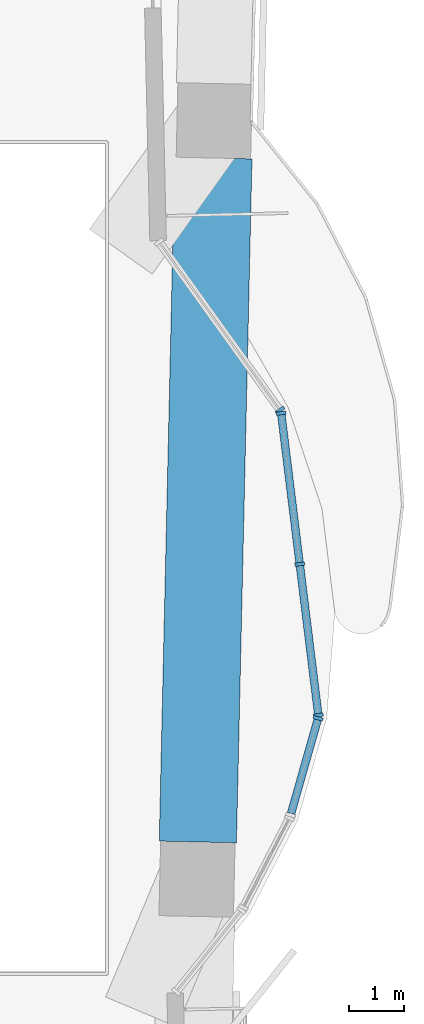
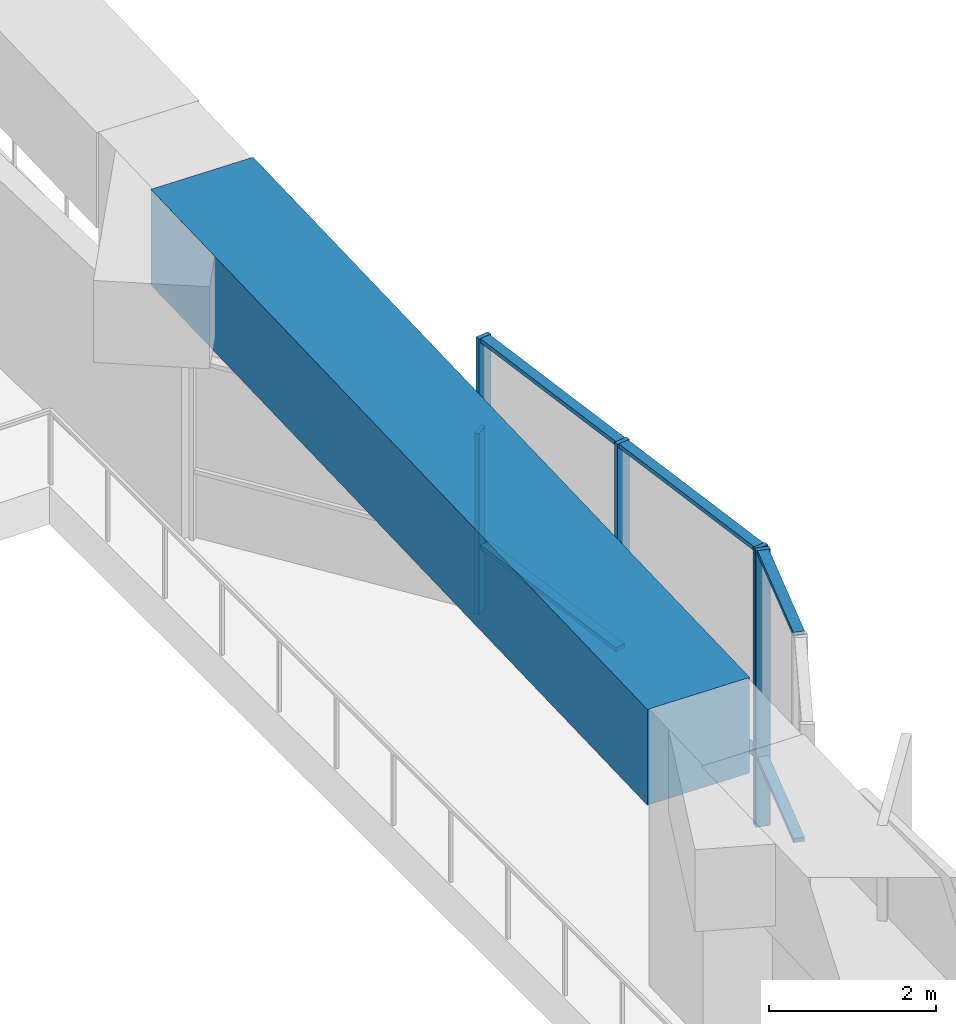
# One storey, part 4 of 21: 11 members, 1 beam, 3 elements without a shape of their own.
"""IFC4 building model written with IfcOpenShell, lengths in metres."""

from ifc_helpers import new_model, si_unit, direction, frame, origin, origin_2d, place, context, subcontext, project, spatial, rectangle, extrude, material, material_profile, profile_set, type_object, element, aggregate, save


model = new_model("IFC4")

# Units and contexts
model_context = context("Model", 3, precision=1e-05, world=origin(), true_north=direction((0.0, 1.0)))
body_context = subcontext(model_context, "Body", "Model", "MODEL_VIEW")
ifc_project = project(units=[si_unit("LENGTHUNIT", "METRE"), si_unit("AREAUNIT", "SQUARE_METRE"), si_unit("VOLUMEUNIT", "CUBIC_METRE"), si_unit("PLANEANGLEUNIT", "RADIAN"), si_unit("MASSUNIT", "GRAM", prefix="KILO")], contexts=[model_context])

# Site, building, storey
site_placement = place(None, origin())
site = spatial("IfcSite", under=ifc_project, at=site_placement, CompositionType="ELEMENT")
building_placement = place(site_placement, origin())
building = spatial("IfcBuilding", under=site, at=building_placement, Name="Mangrove Gate Tower", CompositionType="ELEMENT")
storey_placement = place(building_placement, frame((0.0, 0.0, 125.5)))
storey = spatial("IfcBuildingStorey", under=building, at=storey_placement, Name="L31", CompositionType="ELEMENT", Elevation=125.5)

# Curtain wall, member
ifc_material_1 = material(Name="Aluminium and glass curtain wall", Category="aluminium")
curtain_wall_type = type_object("IfcCurtainWallType", Name="Sky-lounge glazing wall", PredefinedType="NOTDEFINED", material=ifc_material_1)
curtain_wall_1_placement = place(storey_placement, origin())
curtain_wall_1 = element("IfcCurtainWall", 1, at=curtain_wall_1_placement, inside=storey, type_object=curtain_wall_type, Name="Sky-lounge glazing E1f3", PredefinedType="NOTDEFINED")
ifc_material_2 = material(Name="Aluminium alloy 6063-T6", Category="aluminium")
ifc_material_profile_1 = material_profile(ifc_material_2, rectangle(XDim=0.06005859375, YDim=0.179931640625, at=origin_2d()))
ifc_profile_set_1 = profile_set([ifc_material_profile_1], Name="Aluminium alloy 6063-T6")
member_type_1 = type_object("IfcMemberType", Name="Sky-lounge glazing mullion 60x180", PredefinedType="MULLION", material=ifc_profile_set_1)
member_1_placement = place(storey_placement, frame((26.860595703125, -2.90673828125, 0.0), z_axis=(0.0, 0.0, 1.0), x_axis=(0.273161206695, 0.961968271388, 0.0)))
member_1 = element("IfcMember", 2, at=member_1_placement, type_object=member_type_1, Name="CWK mullion 2", PredefinedType="MULLION", context=body_context, shape_type="SweptSolid", body=[
    extrude(rectangle(XDim=0.06005859375, YDim=0.179931640625, at=origin_2d()), origin(), (0.0, 0.0, 1.0), 4.050048828125),
])

# Curtain wall, members
curtain_wall_2_placement = place(storey_placement, origin())
curtain_wall_2 = element("IfcCurtainWall", 3, at=curtain_wall_2_placement, inside=storey, type_object=curtain_wall_type, Name="Sky-lounge glazing E1f4", PredefinedType="NOTDEFINED")
member_2_placement = place(storey_placement, frame((26.865234375, -2.84814453125, 0.0), z_axis=(0.0, 0.0, 1.0), x_axis=(-0.122172285885, 0.992508908051, 0.0)))
member_2 = element("IfcMember", 4, at=member_2_placement, type_object=member_type_1, Name="CWK mullion 1", PredefinedType="MULLION", context=body_context, shape_type="SweptSolid", body=[
    extrude(rectangle(XDim=0.06005859375, YDim=0.179931640625, at=origin_2d()), origin(), (0.0, 0.0, 1.0), 4.050048828125),
])
member_3_placement = place(storey_placement, frame((26.5283203125, -0.112060546875, 0.0), z_axis=(0.0, 0.0, 1.0), x_axis=(-0.122172285885, 0.992508908051, 0.0)))
member_3 = element("IfcMember", 5, at=member_3_placement, type_object=member_type_1, Name="CWK mullion 2", PredefinedType="MULLION", context=body_context, shape_type="SweptSolid", body=[
    extrude(rectangle(XDim=0.06005859375, YDim=0.179931640625, at=origin_2d()), origin(), (0.0, 0.0, 1.0), 4.050048828125),
])
member_4_placement = place(storey_placement, frame((26.191650390625, 2.6240234375, 0.0), z_axis=(0.0, 0.0, 1.0), x_axis=(-0.122172285885, 0.992508908051, 0.0)))
member_4 = element("IfcMember", 6, at=member_4_placement, type_object=member_type_1, Name="CWK mullion 3", PredefinedType="MULLION", context=body_context, shape_type="SweptSolid", body=[
    extrude(rectangle(XDim=0.06005859375, YDim=0.179931640625, at=origin_2d()), origin(), (0.0, 0.0, 1.0), 4.050048828125),
])

# Curtain wall, member
curtain_wall_3_placement = place(storey_placement, origin())
curtain_wall_3 = element("IfcCurtainWall", 7, at=curtain_wall_3_placement, inside=storey, type_object=curtain_wall_type, Name="Sky-lounge glazing E1f5", PredefinedType="NOTDEFINED")
member_5_placement = place(storey_placement, frame((26.17041015625, 2.67822265625, 0.0), z_axis=(0.0, 0.0, 1.0), x_axis=(-0.583670260949, 0.811990779802, 0.0)))
member_5 = element("IfcMember", 8, at=member_5_placement, type_object=member_type_1, Name="CWK mullion 1", PredefinedType="MULLION", context=body_context, shape_type="SweptSolid", body=[
    extrude(rectangle(XDim=0.06005859375, YDim=0.179931640625, at=origin_2d()), origin(), (0.0, 0.0, 1.0), 2.64990234375),
])
aggregate(curtain_wall_3, [member_5])

# Member
ifc_material_3 = material(Name="Aluminium alloy 6063-T6", Category="aluminium")
ifc_material_profile_2 = material_profile(ifc_material_3, rectangle(XDim=0.06005859375, YDim=0.139892578125, at=origin_2d()))
ifc_profile_set_2 = profile_set([ifc_material_profile_2], Name="Aluminium alloy 6063-T6")
member_type_2 = type_object("IfcMemberType", Name="Sky-lounge glazing transom 60x140", PredefinedType="USERDEFINED", material=ifc_profile_set_2)
member_6_placement = place(storey_placement, frame((26.370849609375, -4.631103515625, 1.0), z_axis=(0.273275633786, 0.961935771234, 0.0), x_axis=(0.0, 0.0, 1.0)))
member_6 = element("IfcMember", 9, at=member_6_placement, type_object=member_type_2, Name="CWK transom 1.2", ObjectType="TRANSOM", PredefinedType="USERDEFINED", context=body_context, shape_type="SweptSolid", body=[
    extrude(rectangle(XDim=0.06005859375, YDim=0.139892578125, at=origin_2d()), origin(), (0.0, 0.0, 1.0), 1.7626953125),
])

member_7_placement = place(storey_placement, frame((26.370849609375, -4.631103515625, 4.02001953125), z_axis=(0.273275633786, 0.961935771234, 0.0), x_axis=(0.0, 0.0, 1.0)))
member_7 = element("IfcMember", 10, at=member_7_placement, type_object=member_type_2, Name="CWK transom 1.3", ObjectType="TRANSOM", PredefinedType="USERDEFINED", context=body_context, shape_type="SweptSolid", body=[
    extrude(rectangle(XDim=0.06005859375, YDim=0.139892578125, at=origin_2d()), origin(), (0.0, 0.0, 1.0), 1.7626953125),
])

aggregate(curtain_wall_1, [member_1, member_6, member_7])

member_8_placement = place(storey_placement, frame((26.861572265625, -2.818359375, 1.0), z_axis=(-0.122207333177, 0.992504593298, 0.0), x_axis=(0.0, 0.0, 1.0)))
member_8 = element("IfcMember", 11, at=member_8_placement, type_object=member_type_2, Name="CWK transom 1.2", ObjectType="TRANSOM", PredefinedType="USERDEFINED", context=body_context, shape_type="SweptSolid", body=[
    extrude(rectangle(XDim=0.06005859375, YDim=0.139892578125, at=origin_2d()), origin(), (0.0, 0.0, 1.0), 2.697021484375),
])

member_9_placement = place(storey_placement, frame((26.861572265625, -2.818359375, 4.02001953125), z_axis=(-0.122207333177, 0.992504593298, 0.0), x_axis=(0.0, 0.0, 1.0)))
member_9 = element("IfcMember", 12, at=member_9_placement, type_object=member_type_2, Name="CWK transom 1.3", ObjectType="TRANSOM", PredefinedType="USERDEFINED", context=body_context, shape_type="SweptSolid", body=[
    extrude(rectangle(XDim=0.06005859375, YDim=0.139892578125, at=origin_2d()), origin(), (0.0, 0.0, 1.0), 2.697021484375),
])

member_10_placement = place(storey_placement, frame((26.524658203125, -0.082275390625, 1.0), z_axis=(-0.122129132669, 0.992514219018, 0.0), x_axis=(0.0, 0.0, 1.0)))
member_10 = element("IfcMember", 13, at=member_10_placement, type_object=member_type_2, Name="CWK transom 2.2", ObjectType="TRANSOM", PredefinedType="USERDEFINED", context=body_context, shape_type="SweptSolid", body=[
    extrude(rectangle(XDim=0.06005859375, YDim=0.139892578125, at=origin_2d()), origin(), (0.0, 0.0, 1.0), 2.69677734375),
])

member_11_placement = place(storey_placement, frame((26.524658203125, -0.082275390625, 4.02001953125), z_axis=(-0.122129132669, 0.992514219018, 0.0), x_axis=(0.0, 0.0, 1.0)))
member_11 = element("IfcMember", 14, at=member_11_placement, type_object=member_type_2, Name="CWK transom 2.3", ObjectType="TRANSOM", PredefinedType="USERDEFINED", context=body_context, shape_type="SweptSolid", body=[
    extrude(rectangle(XDim=0.06005859375, YDim=0.139892578125, at=origin_2d()), origin(), (0.0, 0.0, 1.0), 2.69677734375),
])

aggregate(curtain_wall_2, [member_2, member_3, member_4, member_8, member_9, member_10, member_11])

# Beam
ifc_material_4 = material(Name="Concrete C70/85", Category="concrete")
ifc_material_profile_3 = material_profile(ifc_material_4, rectangle(XDim=1.39990234375, YDim=1.39990234375, at=origin_2d()))
ifc_profile_set_3 = profile_set([ifc_material_profile_3], Name="Concrete C70/85")
beam_type = type_object("IfcBeamType", Name="Transfer girder RC 1400x1400 C70/85", PredefinedType="BEAM", material=ifc_profile_set_3)
beam_placement = place(storey_placement, frame((24.681396484375, -5.14794921875, 3.35009765625), z_axis=(0.022699938925, 0.999742323188, 0.0), x_axis=(-0.999742323188, 0.022699938925, 0.0)))
element("IfcBeam", 15, at=beam_placement, inside=storey, type_object=beam_type, Name="Transfer ring girder L31 15", PredefinedType="BEAM", context=body_context, shape_type="SweptSolid", body=[
    extrude(rectangle(XDim=1.39990234375, YDim=1.39990234375, at=origin_2d()), origin(), (0.0, 0.0, 1.0), 12.400634765625),
])

save(model, "model.ifc")
